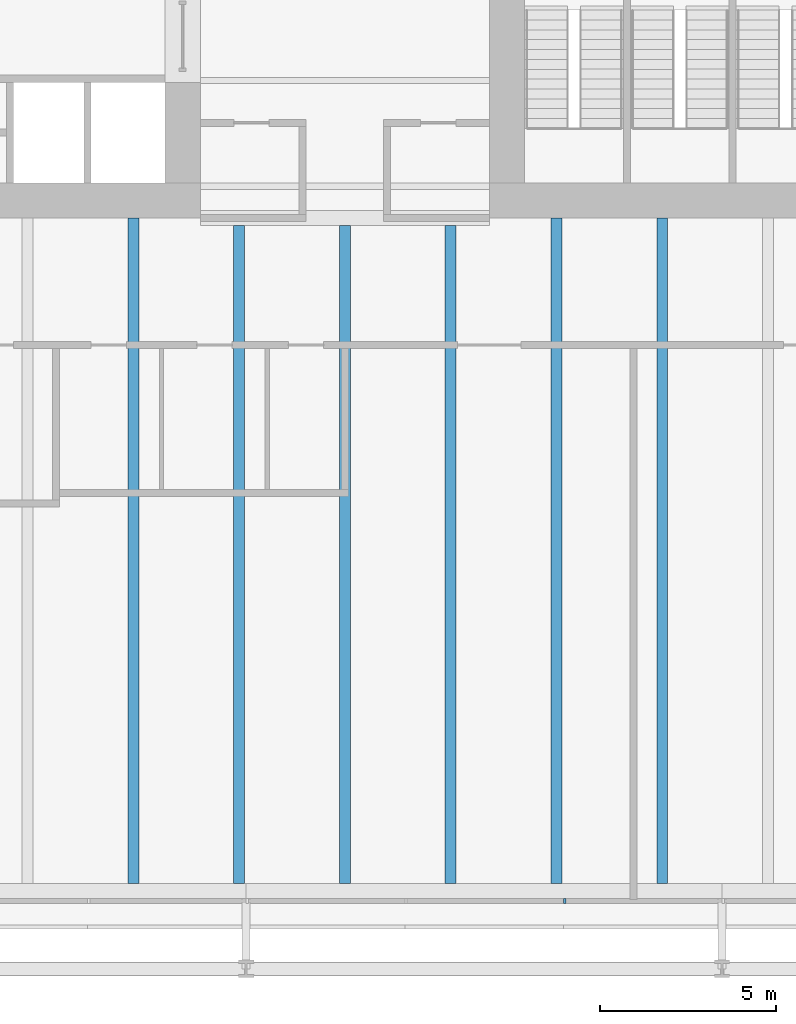
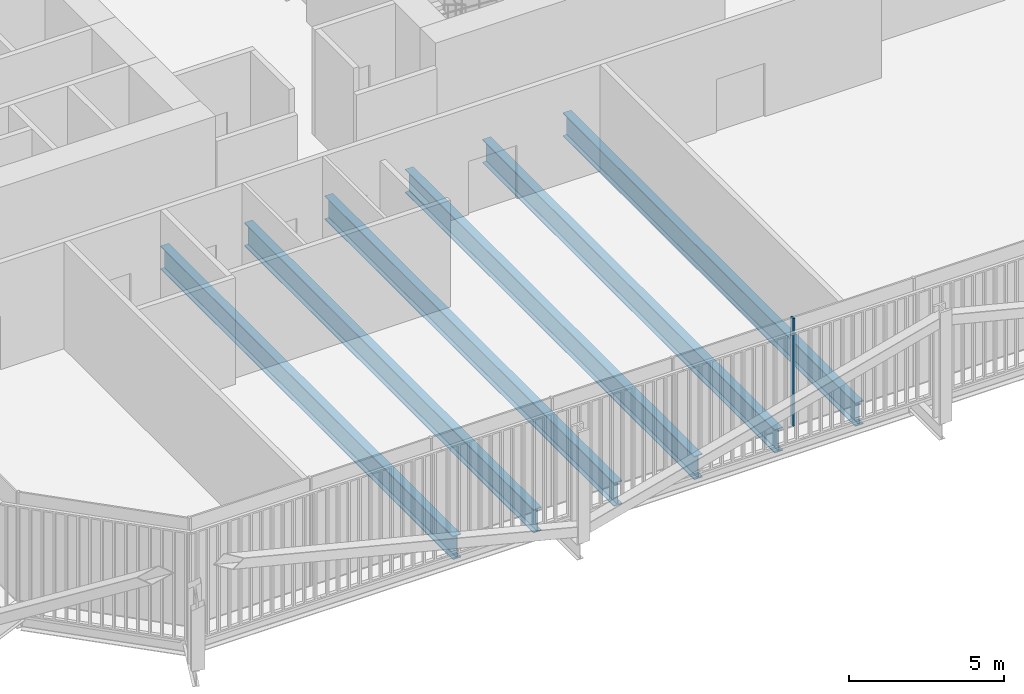
# One storey, part 4 of 21: 6 beams, 1 member, 1 element without a shape of its own.
"""IFC4 building model written with IfcOpenShell, lengths in metres."""

import ifcopenshell
import ifcopenshell.guid

model = None  # the IFC model being written
_history = None  # IfcOwnerHistory: only IFC2X3 demands one
_inside = {}  # id of a spatial element -> (the spatial element, [elements in it])
_under = {}  # id of a project, library or spatial element -> (it, [spatial elements below it])
_declared = {}  # id of a project -> (the project, [libraries it declares])
_typed = {}  # id of a type object -> (the type object, [elements of that type])
_made_of = {}  # id of a material, layer set ... -> (it, [elements and type objects made of it])


def new_model(schema):
    """Start an empty IFC model of exactly this schema.

    Asked for "IFC4X3", IfcOpenShell would pick the latest addendum, in which some entities
    have other attributes; the version numbers below select the first issue.
    IFC2X3 requires an IfcOwnerHistory on every rooted entity: one is made here for all.
    """
    global model, _history
    if schema == "IFC4X3":
        model = ifcopenshell.file(schema_version=(4, 3, 0, 0))
    else:
        model = ifcopenshell.file(schema=schema)
    _inside.clear()
    _under.clear()
    _declared.clear()
    _typed.clear()
    _made_of.clear()
    _history = None
    if model.schema == "IFC2X3":
        org = make("IfcOrganization", Name="unknown")
        user = make(
            "IfcPersonAndOrganization",
            ThePerson=make("IfcPerson", FamilyName="unknown"),
            TheOrganization=org,
        )
        app = make(
            "IfcApplication",
            ApplicationDeveloper=org,
            Version="unknown",
            ApplicationFullName="unknown",
            ApplicationIdentifier="unknown",
        )
        _history = make(
            "IfcOwnerHistory",
            OwningUser=user,
            OwningApplication=app,
            ChangeAction="ADDED",
            CreationDate=0,
        )
    return model


def make(cls, **values):
    """One entity of the class cls with the attributes given. An attribute that is None is left unset."""
    return model.create_entity(
        cls, **{name: value for name, value in values.items() if value is not None}
    )


def rooted(cls, **values):
    """An entity with a GlobalId (a new one), such as an element, a storey or a relation."""
    return make(cls, GlobalId=ifcopenshell.guid.new(), OwnerHistory=_history, **values)


def si_unit(unit_type, name, prefix=None):
    """IfcSIUnit, for example si_unit("LENGTHUNIT", "METRE", prefix="MILLI")."""
    return make("IfcSIUnit", UnitType=unit_type, Prefix=prefix, Name=name)


def assignment(units):
    """IfcUnitAssignment: the units of a project."""
    return None if units is None else make("IfcUnitAssignment", Units=units)


def point(xyz):
    """IfcCartesianPoint."""
    return None if xyz is None else make("IfcCartesianPoint", Coordinates=xyz)


def direction(xyz):
    """IfcDirection."""
    return None if xyz is None else make("IfcDirection", DirectionRatios=xyz)


def frame(location, z_axis=None, x_axis=None):
    """IfcAxis2Placement3D, a coordinate frame: its origin and axes. An axis left out is left unset."""
    return make(
        "IfcAxis2Placement3D",
        Location=point(location),
        Axis=direction(z_axis),
        RefDirection=direction(x_axis),
    )


def frame_2d(location, x_axis=None):
    """IfcAxis2Placement2D, a coordinate frame in the plane: its origin and x axis."""
    return make(
        "IfcAxis2Placement2D", Location=point(location), RefDirection=direction(x_axis)
    )


def origin():
    """The frame at (0, 0, 0) with its axes left unset."""
    return frame((0.0, 0.0, 0.0))


def origin_2d():
    """The frame at (0, 0) in the plane with its x axis left unset."""
    return frame_2d((0.0, 0.0))


def place(relative_to, where):
    """IfcLocalPlacement: puts the frame where relative to a parent placement (None: the world)."""
    return make(
        "IfcLocalPlacement", PlacementRelTo=relative_to, RelativePlacement=where
    )


def context(
    kind, dimensions, precision=None, world=None, true_north=None, identifier=None
):
    """IfcGeometricRepresentationContext, for example the 3D "Model" context."""
    return make(
        "IfcGeometricRepresentationContext",
        ContextIdentifier=identifier,
        ContextType=kind,
        CoordinateSpaceDimension=dimensions,
        Precision=precision,
        WorldCoordinateSystem=world,
        TrueNorth=true_north,
    )


def subcontext(parent, identifier, kind, view, scale=None):
    """IfcGeometricRepresentationSubContext, for example "Body" below "Model"."""
    return make(
        "IfcGeometricRepresentationSubContext",
        ContextIdentifier=identifier,
        ContextType=kind,
        ParentContext=parent,
        TargetScale=scale,
        TargetView=view,
    )


def project(units=None, contexts=None):
    """IfcProject with its units and contexts."""
    return rooted(
        "IfcProject",
        Name="project",
        RepresentationContexts=contexts,
        UnitsInContext=assignment(units),
    )


def spatial(cls, under=None, at=None, **own):
    """A site, building, storey or space (cls), placed at a placement, below another one or the project."""
    s = rooted(cls, ObjectPlacement=at, **own)
    if under is not None:
        _under.setdefault(under.id(), (under, []))[1].append(s)
    return s


def profile(cls, at=None, kind="AREA", **sizes):
    """A parametric profile (cls). Its sizes go by their IFC names, for example OverallWidth=200.0."""
    return make(cls, ProfileType=kind, Position=at, **sizes)


def rectangle(**sizes):
    """IfcRectangleProfileDef."""
    return profile("IfcRectangleProfileDef", **sizes)


def i_section(**sizes):
    """IfcIShapeProfileDef."""
    return profile("IfcIShapeProfileDef", **sizes)


def extrude(swept, where, along, depth):
    """IfcExtrudedAreaSolid: the profile swept, set in the frame where, extruded along a direction by depth."""
    return make(
        "IfcExtrudedAreaSolid",
        SweptArea=swept,
        Position=where,
        ExtrudedDirection=direction(along),
        Depth=depth,
    )


def shape(context_of_items, identifier, shape_type, items):
    """IfcShapeRepresentation: the items that make up one representation, for example the "Body"."""
    return make(
        "IfcShapeRepresentation",
        ContextOfItems=context_of_items,
        RepresentationIdentifier=identifier,
        RepresentationType=shape_type,
        Items=items,
    )


def material(Name=None, Category=None):
    """IfcMaterial."""
    return make("IfcMaterial", Name=Name, Category=Category)


def layer(
    of_material, thickness, ventilated=None, Name=None, Category=None, Priority=None
):
    """IfcMaterialLayer: one layer of a wall or slab, of a material (None: an air gap)."""
    return make(
        "IfcMaterialLayer",
        Material=of_material,
        LayerThickness=thickness,
        IsVentilated=ventilated,
        Name=Name,
        Category=Category,
        Priority=Priority,
    )


def layer_set(layers, Name=None):
    """IfcMaterialLayerSet."""
    return make("IfcMaterialLayerSet", MaterialLayers=layers, LayerSetName=Name)


def material_profile(
    of_material, cross_section, Name=None, Category=None, Priority=None
):
    """IfcMaterialProfile: a cross section and its material."""
    return make(
        "IfcMaterialProfile",
        Name=Name,
        Material=of_material,
        Profile=cross_section,
        Priority=Priority,
        Category=Category,
    )


def profile_set(profiles, Name=None, composite=None):
    """IfcMaterialProfileSet."""
    return make(
        "IfcMaterialProfileSet",
        Name=Name,
        MaterialProfiles=profiles,
        CompositeProfile=composite,
    )


def made_of(thing, what):
    """Note that an element or type object is made of a material, layer set ...; save() writes the relation."""
    if what is not None:
        _made_of.setdefault(what.id(), (what, []))[1].append(thing)
    return thing


def type_object(cls, material=None, **own):
    """A type object (cls), such as IfcWallType, which elements share."""
    return made_of(rooted(cls, **own), material)


def element(
    cls,
    number,
    at=None,
    inside=None,
    cuts=None,
    type_object=None,
    material=None,
    context=None,
    identifier="Body",
    shape_type=None,
    held_by="IfcProductDefinitionShape",
    body=None,
    shapes=None,
    **own,
):
    """One element of the class cls, such as IfcWall. Its Tag is "e" and its number.

    at: its placement. inside: the storey or other place that contains it. cuts: it is an
    opening in that element (IfcRelVoidsElement). A single representation is given by context,
    identifier, shape_type and body (its items); several are given by shapes. held_by: the class
    of the entity that holds the representations. save() writes the other relations.
    """
    e = rooted(cls, Tag="e%d" % number, ObjectPlacement=at, **own)
    if body is not None:
        shapes = [shape(context, identifier, shape_type, body)]
    if shapes is not None:
        e.Representation = make(held_by, Representations=shapes)
    if inside is not None:
        _inside.setdefault(inside.id(), (inside, []))[1].append(e)
    if cuts is not None:
        rooted(
            "IfcRelVoidsElement", RelatingBuildingElement=cuts, RelatedOpeningElement=e
        )
    if type_object is not None:
        _typed.setdefault(type_object.id(), (type_object, []))[1].append(e)
    return made_of(e, material)


def aggregate(whole, parts):
    """IfcRelAggregates: a whole, such as a stair, and the parts it consists of."""
    return rooted("IfcRelAggregates", RelatingObject=whole, RelatedObjects=parts)


def save(model, path):
    """Write the relations noted so far, then the file.

    IfcRelAggregates (storeys below a building ...), IfcRelContainedInSpatialStructure (elements
    in a storey), IfcRelDefinesByType, IfcRelAssociatesMaterial and IfcRelDeclares: one each for
    every whole, place, type object, material and project.
    """
    for whole, parts in _under.values():
        aggregate(whole, parts)
    for where, things in _inside.values():
        rooted(
            "IfcRelContainedInSpatialStructure",
            RelatedElements=things,
            RelatingStructure=where,
        )
    for kind, things in _typed.values():
        rooted("IfcRelDefinesByType", RelatedObjects=things, RelatingType=kind)
    for what, things in _made_of.values():
        rooted("IfcRelAssociatesMaterial", RelatedObjects=things, RelatingMaterial=what)
    for by, libraries in _declared.values():
        rooted("IfcRelDeclares", RelatingContext=by, RelatedDefinitions=libraries)
    model.write(path)


model = new_model("IFC4")

# Units and contexts
model_context = context("Model", 3, precision=1e-05, world=origin(), true_north=direction((0.0, 1.0)))
body_context = subcontext(model_context, "Body", "Model", "MODEL_VIEW")
ifc_project = project(units=[si_unit("LENGTHUNIT", "METRE"), si_unit("AREAUNIT", "SQUARE_METRE"), si_unit("VOLUMEUNIT", "CUBIC_METRE"), si_unit("PLANEANGLEUNIT", "RADIAN"), si_unit("MASSUNIT", "GRAM", prefix="KILO")], contexts=[model_context])

# Site, building, storey
site_placement = place(None, origin())
site = spatial("IfcSite", under=ifc_project, at=site_placement, CompositionType="ELEMENT")
building_placement = place(site_placement, origin())
building = spatial("IfcBuilding", under=site, at=building_placement, Name="Millrace Tower", CompositionType="ELEMENT")
storey_placement = place(building_placement, frame((0.0, 0.0, 90.800048828125)))
storey = spatial("IfcBuildingStorey", under=building, at=storey_placement, Name="L20", CompositionType="ELEMENT", Elevation=90.800048828125)

# Curtain wall, member
ifc_material_1 = material(Name="Aluminium and glass", Category="aluminium")
ifc_layer = layer(ifc_material_1, 0.14990234375)
ifc_layer_set = layer_set([ifc_layer], Name="Aluminium and glass")
curtain_wall_type = type_object("IfcCurtainWallType", Name="CW-3 telecom floor curtain wall", PredefinedType="NOTDEFINED", material=ifc_layer_set)
curtain_wall_placement = place(storey_placement, origin())
curtain_wall = element("IfcCurtainWall", 1, at=curtain_wall_placement, inside=storey, type_object=curtain_wall_type, Name="Curtain wall B-F02 L20", PredefinedType="NOTDEFINED")
ifc_material_2 = material(Name="Aluminium", Category="aluminium")
ifc_material_profile_1 = material_profile(ifc_material_2, rectangle(XDim=0.06494140625, YDim=0.14990234375, at=origin_2d()))
ifc_profile_set_1 = profile_set([ifc_material_profile_1], Name="Aluminium")
member_type = type_object("IfcMemberType", Name="CW-3 telecom floor curtain wall mullion", PredefinedType="MULLION", material=ifc_profile_set_1)
member_placement = place(storey_placement, frame((6.232421875, -29.27490234375, 0.14990234375), z_axis=(0.0, 0.0, 1.0), x_axis=(1.0, 0.0, 0.0)))
member = element("IfcMember", 2, at=member_placement, type_object=member_type, Name="CW3 mullion B-F02.6", PredefinedType="MULLION", context=body_context, shape_type="SweptSolid", body=[
    extrude(rectangle(XDim=0.06494140625, YDim=0.14990234375, at=origin_2d()), origin(), (0.0, 0.0, 1.0), 4.25),
])
aggregate(curtain_wall, [member])

# Beams
ifc_material_3 = material(Name="Steel ASTM A992 Grade 50", Category="steel")
ifc_material_profile_2 = material_profile(ifc_material_3, i_section(OverallWidth=0.307373046875, OverallDepth=0.927001953125, WebThickness=0.01953125, FlangeThickness=0.031982421875, FilletRadius=0.01904296875, at=origin_2d()))
ifc_profile_set_2 = profile_set([ifc_material_profile_2], Name="Steel ASTM A992 Grade 50")
beam_type = type_object("IfcBeamType", Name="Floor beam W36x194", PredefinedType="JOIST", material=ifc_profile_set_2)
beam_placement = place(storey_placement, frame((-6.0, -28.781005859375, -0.66357421875), z_axis=(0.0, 1.0, 0.0), x_axis=(-1.0, 0.0, 0.0)))
element("IfcBeam", 3, at=beam_placement, inside=storey, type_object=beam_type, Name="BM-B-L20-S1-S045", PredefinedType="JOIST", context=body_context, shape_type="SweptSolid", body=[
    extrude(i_section(OverallWidth=0.307373046875, OverallDepth=0.927001953125, WebThickness=0.01953125, FlangeThickness=0.031982421875, FilletRadius=0.01904296875, at=origin_2d()), origin(), (0.0, 0.0, 1.0), 18.881103515625),
])
for number, where, z_axis, x_axis, name in (
    (4, (-3.0, -28.781005859375, -0.66357421875), (0.0, 1.0, 0.0), (-1.0, 0.0, 0.0), "BM-B-L20-S1-S047"),
    (5, (0.0, -28.781005859375, -0.66357421875), (0.0, 1.0, 0.0), (-1.0, 0.0, 0.0), "BM-B-L20-S1-S049"),
    (6, (3.0, -28.781005859375, -0.66357421875), (0.0, 1.0, 0.0), (-1.0, 0.0, 0.0), "BM-B-L20-S1-S051"),
):
    element("IfcBeam", number, at=place(storey_placement, frame(where, z_axis=z_axis, x_axis=x_axis)), inside=storey, type_object=beam_type, Name=name, PredefinedType="JOIST", context=body_context, shape_type="SweptSolid", body=[
        extrude(i_section(OverallWidth=0.307373046875, OverallDepth=0.927001953125, WebThickness=0.01953125, FlangeThickness=0.031982421875, FilletRadius=0.01904296875, at=origin_2d()), origin(), (0.0, 0.0, 1.0), 18.670166015625),
    ])
for number, where, z_axis, x_axis, name in (
    (7, (6.0, -28.781005859375, -0.66357421875), (0.0, 1.0, 0.0), (-1.0, 0.0, 0.0), "BM-B-L20-S1-S053"),
    (8, (9.0, -28.781005859375, -0.66357421875), (0.0, 1.0, 0.0), (-1.0, 0.0, 0.0), "BM-B-L20-S1-S055"),
):
    element("IfcBeam", number, at=place(storey_placement, frame(where, z_axis=z_axis, x_axis=x_axis)), inside=storey, type_object=beam_type, Name=name, PredefinedType="JOIST", context=body_context, shape_type="SweptSolid", body=[
        extrude(i_section(OverallWidth=0.307373046875, OverallDepth=0.927001953125, WebThickness=0.01953125, FlangeThickness=0.031982421875, FilletRadius=0.01904296875, at=origin_2d()), origin(), (0.0, 0.0, 1.0), 18.881103515625),
    ])

save(model, "model.ifc")
